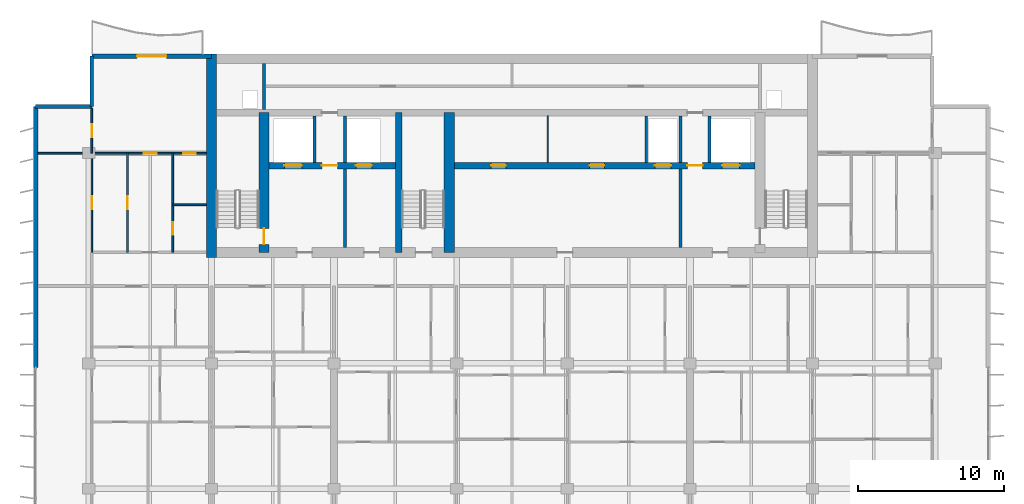
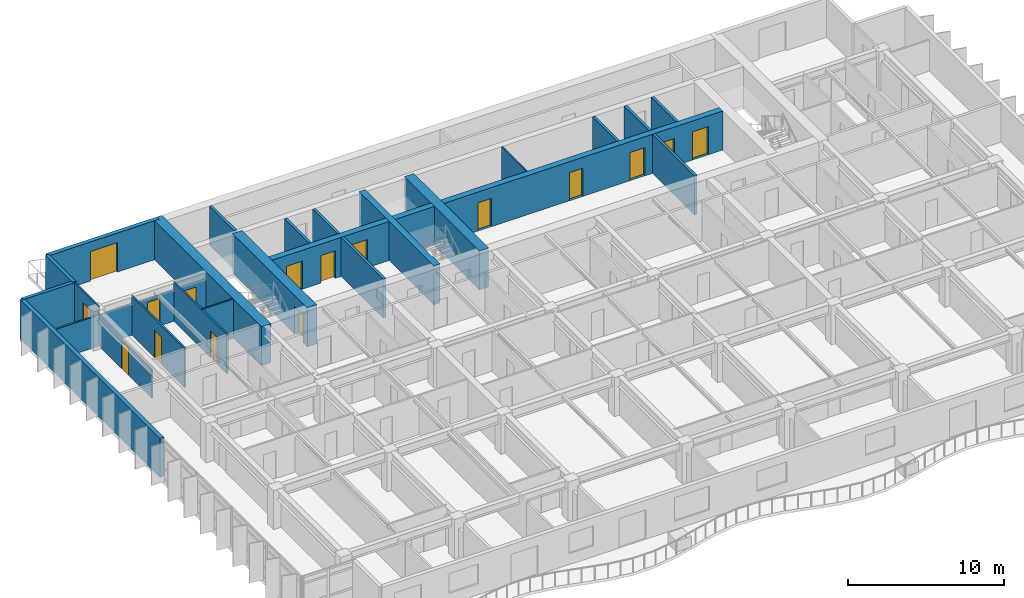
# One storey, part 10 of 16: 24 walls, 16 doors, 16 openings.
"""IFC4 building model written with IfcOpenShell, lengths in metres."""

from ifc_helpers import new_model, si_unit, direction, frame, frame_2d, origin, place, context, subcontext, project, spatial, rectangle, extrude, material, layer, layer_set, type_object, element, fill, save


model = new_model("IFC4")

# Units and contexts
model_context = context("Model", 3, precision=1e-05, world=origin(), true_north=direction((0.0, 1.0)))
body_context = subcontext(model_context, "Body", "Model", "MODEL_VIEW")
ifc_project = project(units=[si_unit("LENGTHUNIT", "METRE"), si_unit("AREAUNIT", "SQUARE_METRE"), si_unit("VOLUMEUNIT", "CUBIC_METRE"), si_unit("PLANEANGLEUNIT", "RADIAN"), si_unit("MASSUNIT", "GRAM", prefix="KILO")], contexts=[model_context])

# Site, building, storey
site_placement = place(None, origin())
site = spatial("IfcSite", under=ifc_project, at=site_placement, CompositionType="ELEMENT")
building_placement = place(site_placement, origin())
building = spatial("IfcBuilding", under=site, at=building_placement, Name="Caelmar Bay Residences", CompositionType="ELEMENT")
storey_placement = place(building_placement, frame((0.0, 0.0, 198.300048828125)))
storey = spatial("IfcBuildingStorey", under=building, at=storey_placement, Name="L55", CompositionType="ELEMENT", Elevation=198.300048828125)

# Wall
ifc_material_1 = material(Name="Concrete f'c 55 MPa (8,000 psi)", Category="concrete")
ifc_layer_1 = layer(ifc_material_1, 0.699951171875)
ifc_layer_set_1 = layer_set([ifc_layer_1], Name="Concrete f'c 55 MPa (8,000 psi)")
wall_type_1 = type_object("IfcWallType", Name="SW-COR-700", PredefinedType="SHEAR", material=ifc_layer_set_1)
wall_1_placement = place(storey_placement, frame((18.300048828125, 36.64990234375, 0.0), z_axis=(0.0, 0.0, 1.0), x_axis=(0.0, 1.0, 0.0)))
element("IfcWall", 1, at=wall_1_placement, inside=storey, type_object=wall_type_1, Name="L55 Rear Core West Shear Wall", PredefinedType="SHEAR", context=body_context, shape_type="SweptSolid", body=[
    extrude(rectangle(XDim=13.9501953125, YDim=0.699951171875, at=frame_2d((6.97509765625, 0.0))), origin(), (0.0, 0.0, 1.0), 3.050048828125),
])

# Wall, opening, door
wall_2_placement = place(storey_placement, frame((21.89990234375, 37.0, 0.0), z_axis=(0.0, 0.0, 1.0), x_axis=(0.0, 1.0, 0.0)))
wall_2 = element("IfcWall", 2, at=wall_2_placement, inside=storey, type_object=wall_type_1, Name="L55 Core Structural Web Wall ST1E", PredefinedType="SHEAR", context=body_context, shape_type="SweptSolid", body=[
    extrude(rectangle(XDim=9.574951171875, YDim=0.699951171875, at=frame_2d((4.78759765625, 0.0))), origin(), (0.0, 0.0, 1.0), 3.050048828125),
])
opening_1_placement = place(wall_2_placement, frame((0.550048828125, 0.0, 0.0)))
opening_1 = element("IfcOpeningElement", 3, at=opening_1_placement, cuts=wall_2, Name="Opening D-L55-107", PredefinedType="OPENING", context=body_context, shape_type="SweptSolid", body=[
    extrude(rectangle(XDim=1.10009765625, YDim=2.14990234375, at=frame_2d((0.550048828125, 1.074951171875))), frame((0.0, 0.35986328125, 0.0), z_axis=(0.0, -1.0, 0.0), x_axis=(1.0, 0.0, 0.0)), (0.0, 0.0, 1.0), 0.719970703125),
])
ifc_material_2 = material(Name="Fire-rated steel and walnut architectural door assembly", Category="steel")
ifc_layer_2 = layer(ifc_material_2, 0.050048828125)
ifc_layer_set_2 = layer_set([ifc_layer_2], Name="Fire-rated steel and walnut architectural door assembly")
door_type_1 = type_object("IfcDoorType", Name="D-STAIR-1100", OperationType="NOTDEFINED", PredefinedType="DOOR", material=ifc_layer_set_2)
door_1_placement = place(opening_1_placement, origin())
door_1 = element("IfcDoor", 4, at=door_1_placement, inside=storey, type_object=door_type_1, Name="L55 Firefighting Lobby West Door", OperationType="SINGLE_SWING_LEFT", OverallHeight=2.14990234375, OverallWidth=1.10009765625, PredefinedType="DOOR", context=body_context, shape_type="SweptSolid", body=[
    extrude(rectangle(XDim=1.10009765625, YDim=2.14990234375, at=frame_2d((0.550048828125, 1.074951171875))), frame((0.0, 0.02490234375, 0.0), z_axis=(0.0, -1.0, 0.0), x_axis=(1.0, 0.0, 0.0)), (0.0, 0.0, 1.0), 0.050048828125),
])
fill(opening_1, door_1)

# Walls
wall_3_placement = place(storey_placement, frame((34.60009765625, 37.0, 0.0), z_axis=(0.0, 0.0, 1.0), x_axis=(0.0, 1.0, 0.0)))
element("IfcWall", 5, at=wall_3_placement, inside=storey, type_object=wall_type_1, Name="L55 Core Structural Web Wall ST3E", PredefinedType="SHEAR", context=body_context, shape_type="SweptSolid", body=[
    extrude(rectangle(XDim=9.574951171875, YDim=0.699951171875, at=frame_2d((4.78759765625, 0.0))), origin(), (0.0, 0.0, 1.0), 3.050048828125),
])
ifc_material_3 = material(Name="Concrete f'c 70 MPa (10,000 psi)", Category="concrete")
ifc_layer_3 = layer(ifc_material_3, 0.449951171875)
ifc_layer_set_3 = layer_set([ifc_layer_3], Name="Concrete f'c 70 MPa (10,000 psi)")
wall_type_2 = type_object("IfcWallType", Name="SW-WEB-450", PredefinedType="SHEAR", material=ifc_layer_set_3)
wall_4_placement = place(storey_placement, frame((31.125, 37.0, 0.0), z_axis=(0.0, 0.0, 1.0), x_axis=(0.0, 1.0, 0.0)))
element("IfcWall", 6, at=wall_4_placement, inside=storey, type_object=wall_type_2, Name="L55 Core Structural Web Wall ST3W", PredefinedType="SHEAR", context=body_context, shape_type="SweptSolid", body=[
    extrude(rectangle(XDim=9.574951171875, YDim=0.449951171875, at=frame_2d((4.78759765625, 0.0))), origin(), (0.0, 0.0, 1.0), 3.050048828125),
])

# Wall, openings, doors
wall_5_placement = place(storey_placement, frame((22.25, 42.949951171875, 0.0), z_axis=(0.0, 0.0, 1.0), x_axis=(1.0, 0.0, 0.0)))
wall_5 = element("IfcWall", 7, at=wall_5_placement, inside=storey, type_object=wall_type_2, Name="L55 Core Structural Web Wall LFR", PredefinedType="SHEAR", context=body_context, shape_type="SweptSolid", body=[
    extrude(rectangle(XDim=33.300048828125, YDim=0.449951171875, at=frame_2d((16.64990234375, 0.0))), origin(), (0.0, 0.0, 1.0), 3.050048828125),
])
opening_2_placement = place(wall_5_placement, frame((1.050048828125, 0.0, 0.0)))
opening_2 = element("IfcOpeningElement", 8, at=opening_2_placement, cuts=wall_5, Name="Opening LD2", PredefinedType="OPENING", context=body_context, shape_type="SweptSolid", body=[
    extrude(rectangle(XDim=1.199951171875, YDim=2.199951171875, at=frame_2d((0.60009765625, 1.10009765625))), frame((0.0, 0.23486328125, 0.0), z_axis=(0.0, -1.0, 0.0), x_axis=(1.0, 0.0, 0.0)), (0.0, 0.0, 1.0), 0.469970703125),
])
opening_3_placement = place(wall_5_placement, frame((31.050048828125, 0.0, 0.0)))
opening_3 = element("IfcOpeningElement", 9, at=opening_3_placement, cuts=wall_5, Name="Opening LD2", PredefinedType="OPENING", context=body_context, shape_type="SweptSolid", body=[
    extrude(rectangle(XDim=1.199951171875, YDim=2.199951171875, at=frame_2d((0.60009765625, 1.10009765625))), frame((0.0, 0.23486328125, 0.0), z_axis=(0.0, -1.0, 0.0), x_axis=(1.0, 0.0, 0.0)), (0.0, 0.0, 1.0), 0.469970703125),
])
opening_4_placement = place(wall_5_placement, frame((26.449951171875, 0.0, 0.0)))
opening_4 = element("IfcOpeningElement", 10, at=opening_4_placement, cuts=wall_5, Name="Opening LD1", PredefinedType="OPENING", context=body_context, shape_type="SweptSolid", body=[
    extrude(rectangle(XDim=1.10009765625, YDim=2.199951171875, at=frame_2d((0.550048828125, 1.10009765625))), frame((0.0, 0.23486328125, 0.0), z_axis=(0.0, -1.0, 0.0), x_axis=(1.0, 0.0, 0.0)), (0.0, 0.0, 1.0), 0.469970703125),
])
opening_5_placement = place(wall_5_placement, frame((5.949951171875, 0.0, 0.0)))
opening_5 = element("IfcOpeningElement", 11, at=opening_5_placement, cuts=wall_5, Name="Opening LD1", PredefinedType="OPENING", context=body_context, shape_type="SweptSolid", body=[
    extrude(rectangle(XDim=1.10009765625, YDim=2.199951171875, at=frame_2d((0.550048828125, 1.10009765625))), frame((0.0, 0.23486328125, 0.0), z_axis=(0.0, -1.0, 0.0), x_axis=(1.0, 0.0, 0.0)), (0.0, 0.0, 1.0), 0.469970703125),
])
opening_6_placement = place(wall_5_placement, frame((3.625, 0.0, 0.0)))
opening_6 = element("IfcOpeningElement", 12, at=opening_6_placement, cuts=wall_5, Name="Opening D-L55-108", PredefinedType="OPENING", context=body_context, shape_type="SweptSolid", body=[
    extrude(rectangle(XDim=1.050048828125, YDim=2.14990234375, at=frame_2d((0.52490234375, 1.074951171875))), frame((0.0, 0.23486328125, 0.0), z_axis=(0.0, -1.0, 0.0), x_axis=(1.0, 0.0, 0.0)), (0.0, 0.0, 1.0), 0.469970703125),
])
opening_7_placement = place(wall_5_placement, frame((28.675048828125, 0.0, 0.0)))
opening_7 = element("IfcOpeningElement", 13, at=opening_7_placement, cuts=wall_5, Name="Opening D-L55-111", PredefinedType="OPENING", context=body_context, shape_type="SweptSolid", body=[
    extrude(rectangle(XDim=1.050048828125, YDim=2.14990234375, at=frame_2d((0.52490234375, 1.074951171875))), frame((0.0, 0.23486328125, 0.0), z_axis=(0.0, -1.0, 0.0), x_axis=(1.0, 0.0, 0.0)), (0.0, 0.0, 1.0), 0.469970703125),
])
opening_8_placement = place(wall_5_placement, frame((15.22509765625, 0.0, 0.0)))
opening_8 = element("IfcOpeningElement", 14, at=opening_8_placement, cuts=wall_5, Name="Opening D-L55-114", PredefinedType="OPENING", context=body_context, shape_type="SweptSolid", body=[
    extrude(rectangle(XDim=1.0, YDim=2.199951171875, at=frame_2d((0.5, 1.10009765625))), frame((0.0, 0.23486328125, 0.0), z_axis=(0.0, -1.0, 0.0), x_axis=(1.0, 0.0, 0.0)), (0.0, 0.0, 1.0), 0.469970703125),
])
opening_9_placement = place(wall_5_placement, frame((21.97509765625, 0.0, 0.0)))
opening_9 = element("IfcOpeningElement", 15, at=opening_9_placement, cuts=wall_5, Name="Opening D-L55-115", PredefinedType="OPENING", context=body_context, shape_type="SweptSolid", body=[
    extrude(rectangle(XDim=1.0, YDim=2.199951171875, at=frame_2d((0.5, 1.10009765625))), frame((0.0, 0.23486328125, 0.0), z_axis=(0.0, -1.0, 0.0), x_axis=(1.0, 0.0, 0.0)), (0.0, 0.0, 1.0), 0.469970703125),
])
ifc_layer_4 = layer(ifc_material_2, 0.050048828125)
ifc_layer_set_4 = layer_set([ifc_layer_4], Name="Fire-rated steel and walnut architectural door assembly")
door_type_2 = type_object("IfcDoorType", Name="D-FSAE-1050", OperationType="NOTDEFINED", PredefinedType="DOOR", material=ifc_layer_set_4)
door_2_placement = place(opening_6_placement, origin())
door_2 = element("IfcDoor", 16, at=door_2_placement, inside=storey, type_object=door_type_2, Name="L55 Firefighting Lobby West Door", OperationType="SINGLE_SWING_RIGHT", OverallHeight=2.14990234375, OverallWidth=1.050048828125, PredefinedType="DOOR", context=body_context, shape_type="SweptSolid", body=[
    extrude(rectangle(XDim=1.050048828125, YDim=2.14990234375, at=frame_2d((0.52490234375, 1.074951171875))), frame((0.0, 0.02490234375, 0.0), z_axis=(0.0, -1.0, 0.0), x_axis=(1.0, 0.0, 0.0)), (0.0, 0.0, 1.0), 0.050048828125),
])
fill(opening_6, door_2)
door_3_placement = place(opening_7_placement, origin())
door_3 = element("IfcDoor", 17, at=door_3_placement, inside=storey, type_object=door_type_2, Name="L55 Firefighting Lobby East Door", OperationType="SINGLE_SWING_LEFT", OverallHeight=2.14990234375, OverallWidth=1.050048828125, PredefinedType="DOOR", context=body_context, shape_type="SweptSolid", body=[
    extrude(rectangle(XDim=1.050048828125, YDim=2.14990234375, at=frame_2d((0.52490234375, 1.074951171875))), frame((0.0, 0.02490234375, 0.0), z_axis=(0.0, -1.0, 0.0), x_axis=(1.0, 0.0, 0.0)), (0.0, 0.0, 1.0), 0.050048828125),
])
fill(opening_7, door_3)
ifc_material_4 = material(Name="Brushed bronze stainless-steel fire-rated lift landing doors", Category="steel")
ifc_layer_5 = layer(ifc_material_4, 0.050048828125)
ifc_layer_set_5 = layer_set([ifc_layer_5], Name="Brushed bronze stainless-steel fire-rated lift landing doors")
door_type_3 = type_object("IfcDoorType", Name="D-LND-1100", OperationType="DOUBLE_DOOR_SLIDING", PredefinedType="DOOR", material=ifc_layer_set_5)
door_4_placement = place(opening_4_placement, origin())
door_4 = element("IfcDoor", 18, at=door_4_placement, inside=storey, type_object=door_type_3, Name="L55 LP6 Sliding Landing Door", OperationType="DOUBLE_DOOR_SLIDING", OverallHeight=2.199951171875, OverallWidth=1.10009765625, PredefinedType="DOOR", context=body_context, shape_type="SweptSolid", body=[
    extrude(rectangle(XDim=1.10009765625, YDim=2.199951171875, at=frame_2d((0.550048828125, 1.10009765625))), frame((0.0, 0.02490234375, 0.0), z_axis=(0.0, -1.0, 0.0), x_axis=(1.0, 0.0, 0.0)), (0.0, 0.0, 1.0), 0.050048828125),
])
fill(opening_4, door_4)
door_5_placement = place(opening_5_placement, origin())
door_5 = element("IfcDoor", 19, at=door_5_placement, inside=storey, type_object=door_type_3, Name="L55 LP7 Sliding Landing Door", OperationType="DOUBLE_DOOR_SLIDING", OverallHeight=2.199951171875, OverallWidth=1.10009765625, PredefinedType="DOOR", context=body_context, shape_type="SweptSolid", body=[
    extrude(rectangle(XDim=1.10009765625, YDim=2.199951171875, at=frame_2d((0.550048828125, 1.10009765625))), frame((0.0, 0.02490234375, 0.0), z_axis=(0.0, -1.0, 0.0), x_axis=(1.0, 0.0, 0.0)), (0.0, 0.0, 1.0), 0.050048828125),
])
fill(opening_5, door_5)
ifc_material_5 = material(Name="Brushed stainless-steel FSAE sliding landing door", Category="steel")
ifc_layer_6 = layer(ifc_material_5, 0.050048828125)
ifc_layer_set_6 = layer_set([ifc_layer_6], Name="Brushed stainless-steel FSAE sliding landing door")
door_type_4 = type_object("IfcDoorType", Name="D-LND-1200", OperationType="DOUBLE_DOOR_SLIDING", PredefinedType="DOOR", material=ifc_layer_set_6)
door_6_placement = place(opening_2_placement, origin())
door_6 = element("IfcDoor", 20, at=door_6_placement, inside=storey, type_object=door_type_4, Name="L55 LF1 Sliding Landing Door", OperationType="DOUBLE_DOOR_SLIDING", OverallHeight=2.199951171875, OverallWidth=1.199951171875, PredefinedType="DOOR", context=body_context, shape_type="SweptSolid", body=[
    extrude(rectangle(XDim=1.199951171875, YDim=2.199951171875, at=frame_2d((0.60009765625, 1.10009765625))), frame((0.0, 0.02490234375, 0.0), z_axis=(0.0, -1.0, 0.0), x_axis=(1.0, 0.0, 0.0)), (0.0, 0.0, 1.0), 0.050048828125),
])
fill(opening_2, door_6)
door_7_placement = place(opening_3_placement, origin())
door_7 = element("IfcDoor", 21, at=door_7_placement, inside=storey, type_object=door_type_4, Name="L55 LF2 Sliding Landing Door", OperationType="DOUBLE_DOOR_SLIDING", OverallHeight=2.199951171875, OverallWidth=1.199951171875, PredefinedType="DOOR", context=body_context, shape_type="SweptSolid", body=[
    extrude(rectangle(XDim=1.199951171875, YDim=2.199951171875, at=frame_2d((0.60009765625, 1.10009765625))), frame((0.0, 0.02490234375, 0.0), z_axis=(0.0, -1.0, 0.0), x_axis=(1.0, 0.0, 0.0)), (0.0, 0.0, 1.0), 0.050048828125),
])
fill(opening_3, door_7)
ifc_layer_7 = layer(ifc_material_2, 0.050048828125)
ifc_layer_set_7 = layer_set([ifc_layer_7], Name="Fire-rated steel and walnut architectural door assembly")
door_type_5 = type_object("IfcDoorType", Name="D-UNIT-1000", OperationType="NOTDEFINED", PredefinedType="DOOR", material=ifc_layer_set_7)
door_8_placement = place(opening_8_placement, origin())
door_8 = element("IfcDoor", 22, at=door_8_placement, inside=storey, type_object=door_type_5, Name="L55 Collector Study Door", OperationType="SINGLE_SWING_RIGHT", OverallHeight=2.199951171875, OverallWidth=1.0, PredefinedType="DOOR", context=body_context, shape_type="SweptSolid", body=[
    extrude(rectangle(XDim=1.0, YDim=2.199951171875, at=frame_2d((0.5, 1.10009765625))), frame((0.0, 0.02490234375, 0.0), z_axis=(0.0, -1.0, 0.0), x_axis=(1.0, 0.0, 0.0)), (0.0, 0.0, 1.0), 0.050048828125),
])
fill(opening_8, door_8)
door_9_placement = place(opening_9_placement, origin())
door_9 = element("IfcDoor", 23, at=door_9_placement, inside=storey, type_object=door_type_5, Name="L55 Private Dining Room Door", OperationType="SINGLE_SWING_LEFT", OverallHeight=2.199951171875, OverallWidth=1.0, PredefinedType="DOOR", context=body_context, shape_type="SweptSolid", body=[
    extrude(rectangle(XDim=1.0, YDim=2.199951171875, at=frame_2d((0.5, 1.10009765625))), frame((0.0, 0.02490234375, 0.0), z_axis=(0.0, -1.0, 0.0), x_axis=(1.0, 0.0, 0.0)), (0.0, 0.0, 1.0), 0.050048828125),
])
fill(opening_9, door_9)

# Walls
ifc_material_6 = material(Name="Precast concrete f'c 40 MPa (6,000 psi)", Category="concrete")
ifc_layer_8 = layer(ifc_material_6, 0.25)
ifc_layer_set_8 = layer_set([ifc_layer_8], Name="Precast concrete f'c 40 MPa (6,000 psi)")
wall_type_3 = type_object("IfcWallType", Name="W-EXT-250", PredefinedType="ELEMENTEDWALL", material=ifc_layer_set_8)
wall_6_placement = place(storey_placement, frame((6.25, 47.0, 0.0), z_axis=(0.0, 0.0, 1.0), x_axis=(1.0, 0.0, 0.0)))
element("IfcWall", 24, at=wall_6_placement, inside=storey, type_object=wall_type_3, Name="L55 NNW-H Notch Wall", PredefinedType="ELEMENTEDWALL", context=body_context, shape_type="SweptSolid", body=[
    extrude(rectangle(XDim=3.85009765625, YDim=0.25, at=frame_2d((1.925048828125, 0.0))), origin(), (0.0, 0.0, 1.0), 3.050048828125),
])
wall_7_placement = place(storey_placement, frame((10.10009765625, 47.0, 0.0), z_axis=(0.0, 0.0, 1.0), x_axis=(0.0, 1.0, 0.0)))
element("IfcWall", 25, at=wall_7_placement, inside=storey, type_object=wall_type_3, Name="L55 NNW-V Notch Wall", PredefinedType="ELEMENTEDWALL", context=body_context, shape_type="SweptSolid", body=[
    extrude(rectangle(XDim=3.449951171875, YDim=0.25, at=frame_2d((1.72509765625, 0.0))), origin(), (0.0, 0.0, 1.0), 3.050048828125),
])
ifc_layer_9 = layer(ifc_material_6, 0.300048828125)
ifc_layer_set_9 = layer_set([ifc_layer_9], Name="Precast concrete f'c 40 MPa (6,000 psi)")
wall_type_4 = type_object("IfcWallType", Name="W-EXT-300", PredefinedType="STANDARD", material=ifc_layer_set_9)
wall_8_placement = place(storey_placement, frame((6.25, 29.10009765625, 0.0), z_axis=(0.0, 0.0, 1.0), x_axis=(0.0, 1.0, 0.0)))
element("IfcWall", 26, at=wall_8_placement, inside=storey, type_object=wall_type_4, Name="L55 West Rear Exterior Wall", PredefinedType="STANDARD", context=body_context, shape_type="SweptSolid", body=[
    extrude(rectangle(XDim=17.89990234375, YDim=0.300048828125, at=frame_2d((8.949951171875, 0.0))), origin(), (0.0, 0.0, 1.0), 3.050048828125),
])

# Wall, opening, door
wall_9_placement = place(storey_placement, frame((10.10009765625, 50.449951171875, 0.0), z_axis=(0.0, 0.0, 1.0), x_axis=(1.0, 0.0, 0.0)))
wall_9 = element("IfcWall", 27, at=wall_9_placement, inside=storey, type_object=wall_type_4, Name="L55 North-West Wing Exterior Wall", PredefinedType="STANDARD", context=body_context, shape_type="SweptSolid", body=[
    extrude(rectangle(XDim=8.199951171875, YDim=0.300048828125, at=frame_2d((4.10009765625, 0.0))), origin(), (0.0, 0.0, 1.0), 3.050048828125),
])
opening_10_placement = place(wall_9_placement, frame((3.10009765625, 0.0, 0.0)))
opening_10 = element("IfcOpeningElement", 28, at=opening_10_placement, cuts=wall_9, Name="Opening L55-BDNW", PredefinedType="OPENING", context=body_context, shape_type="SweptSolid", body=[
    extrude(rectangle(XDim=2.0, YDim=2.300048828125, at=frame_2d((1.0, 1.14990234375))), frame((0.0, 0.159912109375, 0.0), z_axis=(0.0, -1.0, 0.0), x_axis=(1.0, 0.0, 0.0)), (0.0, 0.0, 1.0), 0.320068359375),
])
ifc_material_7 = material(Name="Anodised bronze thermally broken sliding glass door", Category="glass")
ifc_layer_10 = layer(ifc_material_7, 0.050048828125)
ifc_layer_set_10 = layer_set([ifc_layer_10], Name="Anodised bronze thermally broken sliding glass door")
door_type_6 = type_object("IfcDoorType", Name="D-BAL-2000", OperationType="DOUBLE_DOOR_SLIDING", PredefinedType="DOOR", material=ifc_layer_set_10)
door_10_placement = place(opening_10_placement, origin())
door_10 = element("IfcDoor", 29, at=door_10_placement, inside=storey, type_object=door_type_6, Name="L55 North-West Balcony Door", OperationType="DOUBLE_DOOR_SLIDING", OverallHeight=2.300048828125, OverallWidth=2.0, PredefinedType="DOOR", context=body_context, shape_type="SweptSolid", body=[
    extrude(rectangle(XDim=2.0, YDim=2.300048828125, at=frame_2d((1.0, 1.14990234375))), frame((0.0, 0.02490234375, 0.0), z_axis=(0.0, -1.0, 0.0), x_axis=(1.0, 0.0, 0.0)), (0.0, 0.0, 1.0), 0.050048828125),
])
fill(opening_10, door_10)

# Walls
ifc_material_8 = material(Name="Fire-rated masonry and gypsum shaftliner assembly 200 mm", Category="masonry")
ifc_layer_11 = layer(ifc_material_8, 0.199951171875)
ifc_layer_set_11 = layer_set([ifc_layer_11], Name="Fire-rated masonry and gypsum shaftliner assembly 200 mm")
wall_type_5 = type_object("IfcWallType", Name="W-FSAE-200", PredefinedType="PARTITIONING", material=ifc_layer_set_11)
wall_10_placement = place(storey_placement, frame((21.89990234375, 46.794921875, 0.0), z_axis=(0.0, 0.0, 1.0), x_axis=(0.0, 1.0, 0.0)))
element("IfcWall", 30, at=wall_10_placement, inside=storey, type_object=wall_type_5, Name="L55 Partition Wall V013", PredefinedType="PARTITIONING", context=body_context, shape_type="SweptSolid", body=[
    extrude(rectangle(XDim=3.16015625, YDim=0.199951171875, at=frame_2d((1.580078125, 0.0))), origin(), (0.0, 0.0, 1.0), 3.050048828125),
])
wall_11_placement = place(storey_placement, frame((25.35009765625, 43.169921875, 0.0), z_axis=(0.0, 0.0, 1.0), x_axis=(0.0, 1.0, 0.0)))
element("IfcWall", 31, at=wall_11_placement, inside=storey, type_object=wall_type_5, Name="L55 Partition Wall V018", PredefinedType="PARTITIONING", context=body_context, shape_type="SweptSolid", body=[
    extrude(rectangle(XDim=3.18505859375, YDim=0.199951171875, at=frame_2d((1.592529296875, 0.0))), origin(), (0.0, 0.0, 1.0), 3.050048828125),
])
wall_12_placement = place(storey_placement, frame((27.449951171875, 37.344970703125, 0.0), z_axis=(0.0, 0.0, 1.0), x_axis=(0.0, 1.0, 0.0)))
element("IfcWall", 32, at=wall_12_placement, inside=storey, type_object=wall_type_5, Name="L55 Partition Wall V022", PredefinedType="PARTITIONING", context=body_context, shape_type="SweptSolid", body=[
    extrude(rectangle(XDim=5.385009765625, YDim=0.199951171875, at=frame_2d((2.6923828125, 0.0))), origin(), (0.0, 0.0, 1.0), 3.050048828125),
])
for number, where, z_axis, x_axis, name in (
    (33, (27.449951171875, 43.169921875, 0.0), (0.0, 0.0, 1.0), (0.0, 1.0, 0.0), "L55 Partition Wall V023"),
    (34, (48.10009765625, 43.169921875, 0.0), (0.0, 0.0, 1.0), (0.0, 1.0, 0.0), "L55 Partition Wall V033"),
):
    element("IfcWall", number, at=place(storey_placement, frame(where, z_axis=z_axis, x_axis=x_axis)), inside=storey, type_object=wall_type_5, Name=name, PredefinedType="PARTITIONING", context=body_context, shape_type="SweptSolid", body=[
        extrude(rectangle(XDim=3.18505859375, YDim=0.199951171875, at=frame_2d((1.592529296875, 0.0))), origin(), (0.0, 0.0, 1.0), 3.050048828125),
    ])
wall_13_placement = place(storey_placement, frame((50.449951171875, 37.344970703125, 0.0), z_axis=(0.0, 0.0, 1.0), x_axis=(0.0, 1.0, 0.0)))
element("IfcWall", 35, at=wall_13_placement, inside=storey, type_object=wall_type_5, Name="L55 Partition Wall V035", PredefinedType="PARTITIONING", context=body_context, shape_type="SweptSolid", body=[
    extrude(rectangle(XDim=5.385009765625, YDim=0.199951171875, at=frame_2d((2.6923828125, 0.0))), origin(), (0.0, 0.0, 1.0), 3.050048828125),
])
for number, where, z_axis, x_axis, name in (
    (36, (50.449951171875, 43.169921875, 0.0), (0.0, 0.0, 1.0), (0.0, 1.0, 0.0), "L55 Partition Wall V036"),
    (37, (52.449951171875, 43.169921875, 0.0), (0.0, 0.0, 1.0), (0.0, 1.0, 0.0), "L55 Partition Wall V040"),
):
    element("IfcWall", number, at=place(storey_placement, frame(where, z_axis=z_axis, x_axis=x_axis)), inside=storey, type_object=wall_type_5, Name=name, PredefinedType="PARTITIONING", context=body_context, shape_type="SweptSolid", body=[
        extrude(rectangle(XDim=3.18505859375, YDim=0.199951171875, at=frame_2d((1.592529296875, 0.0))), origin(), (0.0, 0.0, 1.0), 3.050048828125),
    ])

# Wall, opening, door
ifc_material_9 = material(Name="Anodised bronze framed acoustic sliding study partition 100 mm")
ifc_layer_12 = layer(ifc_material_9, 0.10009765625)
ifc_layer_set_12 = layer_set([ifc_layer_12], Name="Anodised bronze framed acoustic sliding study partition 100 mm")
wall_type_6 = type_object("IfcWallType", Name="W-MOV-100", PredefinedType="MOVABLE", material=ifc_layer_set_12)
wall_14_placement = place(storey_placement, frame((10.10009765625, 37.0048828125, 0.0), z_axis=(0.0, 0.0, 1.0), x_axis=(0.0, 1.0, 0.0)))
wall_14 = element("IfcWall", 38, at=wall_14_placement, inside=storey, type_object=wall_type_6, Name="L55 Partition Wall V003", PredefinedType="MOVABLE", context=body_context, shape_type="SweptSolid", body=[
    extrude(rectangle(XDim=6.795166015625, YDim=0.10009765625, at=frame_2d((3.3974609375, 0.0))), origin(), (0.0, 0.0, 1.0), 2.262939453125),
])
opening_11_placement = place(wall_14_placement, frame((2.947509765625, 0.0, 0.0)))
opening_11 = element("IfcOpeningElement", 39, at=opening_11_placement, cuts=wall_14, Name="Opening D-L55-166", PredefinedType="OPENING", context=body_context, shape_type="SweptSolid", body=[
    extrude(rectangle(XDim=0.89990234375, YDim=2.14990234375, at=frame_2d((0.449951171875, 1.074951171875))), frame((0.0, 0.06005859375, 0.0), z_axis=(0.0, -1.0, 0.0), x_axis=(1.0, 0.0, 0.0)), (0.0, 0.0, 1.0), 0.1201171875),
])
ifc_material_10 = material(Name="Solid walnut timber interior door leaf and frame", Category="wood")
ifc_layer_13 = layer(ifc_material_10, 0.050048828125)
ifc_layer_set_13 = layer_set([ifc_layer_13], Name="Solid walnut timber interior door leaf and frame")
door_type_7 = type_object("IfcDoorType", Name="D-ROOM-900", OperationType="NOTDEFINED", PredefinedType="DOOR", material=ifc_layer_set_13)
door_11_placement = place(opening_11_placement, origin())
door_11 = element("IfcDoor", 40, at=door_11_placement, inside=storey, type_object=door_type_7, Name="L55 Residence WA Sun Study Door", OperationType="SINGLE_SWING_RIGHT", OverallHeight=2.14990234375, OverallWidth=0.89990234375, PredefinedType="DOOR", context=body_context, shape_type="SweptSolid", body=[
    extrude(rectangle(XDim=0.89990234375, YDim=2.14990234375, at=frame_2d((0.449951171875, 1.074951171875))), frame((0.0, 0.02490234375, 0.0), z_axis=(0.0, -1.0, 0.0), x_axis=(1.0, 0.0, 0.0)), (0.0, 0.0, 1.0), 0.050048828125),
])
fill(opening_11, door_11)

# Wall
wall_15_placement = place(storey_placement, frame((41.35009765625, 43.169921875, 0.0), z_axis=(0.0, 0.0, 1.0), x_axis=(0.0, 1.0, 0.0)))
element("IfcWall", 41, at=wall_15_placement, inside=storey, type_object=wall_type_6, Name="L55 Partition Wall V030", PredefinedType="MOVABLE", context=body_context, shape_type="SweptSolid", body=[
    extrude(rectangle(XDim=3.18505859375, YDim=0.10009765625, at=frame_2d((1.592529296875, 0.0))), origin(), (0.0, 0.0, 1.0), 3.050048828125),
])

# Wall, opening, door
ifc_material_11 = material(Name="Acoustic metal-stud gypsum partition 120 mm")
ifc_layer_14 = layer(ifc_material_11, 0.1201171875)
ifc_layer_set_14 = layer_set([ifc_layer_14], Name="Acoustic metal-stud gypsum partition 120 mm")
wall_type_7 = type_object("IfcWallType", Name="W-PRT-120", PredefinedType="PARTITIONING", material=ifc_layer_set_14)
wall_16_placement = place(storey_placement, frame((10.10009765625, 43.804931640625, 0.0), z_axis=(0.0, 0.0, 1.0), x_axis=(0.0, 1.0, 0.0)))
wall_16 = element("IfcWall", 42, at=wall_16_placement, inside=storey, type_object=wall_type_7, Name="L55 Partition Wall V004", PredefinedType="PARTITIONING", context=body_context, shape_type="SweptSolid", body=[
    extrude(rectangle(XDim=3.074951171875, YDim=0.1201171875, at=frame_2d((1.53759765625, 0.0))), origin(), (0.0, 0.0, 1.0), 3.050048828125),
])
opening_12_placement = place(wall_16_placement, frame((1.08740234375, 0.0, 0.0)))
opening_12 = element("IfcOpeningElement", 43, at=opening_12_placement, cuts=wall_16, Name="Opening D-L55-167", PredefinedType="OPENING", context=body_context, shape_type="SweptSolid", body=[
    extrude(rectangle(XDim=0.89990234375, YDim=2.14990234375, at=frame_2d((0.449951171875, 1.074951171875))), frame((0.0, 0.070068359375, 0.0), z_axis=(0.0, -1.0, 0.0), x_axis=(1.0, 0.0, 0.0)), (0.0, 0.0, 1.0), 0.14013671875),
])
door_12_placement = place(opening_12_placement, origin())
door_12 = element("IfcDoor", 44, at=door_12_placement, inside=storey, type_object=door_type_7, Name="L55 Residence WA North Sitting Alcove Door", OperationType="SINGLE_SWING_LEFT", OverallHeight=2.14990234375, OverallWidth=0.89990234375, PredefinedType="DOOR", context=body_context, shape_type="SweptSolid", body=[
    extrude(rectangle(XDim=0.89990234375, YDim=2.14990234375, at=frame_2d((0.449951171875, 1.074951171875))), frame((0.0, 0.02490234375, 0.0), z_axis=(0.0, -1.0, 0.0), x_axis=(1.0, 0.0, 0.0)), (0.0, 0.0, 1.0), 0.050048828125),
])
fill(opening_12, door_12)

wall_17_placement = place(storey_placement, frame((12.5419921875, 37.0, 0.0), z_axis=(0.0, 0.0, 1.0), x_axis=(0.0, 1.0, 0.0)))
wall_17 = element("IfcWall", 45, at=wall_17_placement, inside=storey, type_object=wall_type_7, Name="L55 Partition Wall V005", PredefinedType="PARTITIONING", context=body_context, shape_type="SweptSolid", body=[
    extrude(rectangle(XDim=6.800048828125, YDim=0.1201171875, at=frame_2d((3.39990234375, 0.0))), origin(), (0.0, 0.0, 1.0), 3.050048828125),
])
opening_13_placement = place(wall_17_placement, frame((2.949951171875, 0.0, 0.0)))
opening_13 = element("IfcOpeningElement", 46, at=opening_13_placement, cuts=wall_17, Name="Opening D-L55-161", PredefinedType="OPENING", context=body_context, shape_type="SweptSolid", body=[
    extrude(rectangle(XDim=0.89990234375, YDim=2.14990234375, at=frame_2d((0.449951171875, 1.074951171875))), frame((0.0, 0.070068359375, 0.0), z_axis=(0.0, -1.0, 0.0), x_axis=(1.0, 0.0, 0.0)), (0.0, 0.0, 1.0), 0.14013671875),
])
door_13_placement = place(opening_13_placement, origin())
door_13 = element("IfcDoor", 47, at=door_13_placement, inside=storey, type_object=door_type_7, Name="L55 Residence WA Dining Room Door", OperationType="SINGLE_SWING_LEFT", OverallHeight=2.14990234375, OverallWidth=0.89990234375, PredefinedType="DOOR", context=body_context, shape_type="SweptSolid", body=[
    extrude(rectangle(XDim=0.89990234375, YDim=2.14990234375, at=frame_2d((0.449951171875, 1.074951171875))), frame((0.0, 0.02490234375, 0.0), z_axis=(0.0, -1.0, 0.0), x_axis=(1.0, 0.0, 0.0)), (0.0, 0.0, 1.0), 0.050048828125),
])
fill(opening_13, door_13)

wall_18_placement = place(storey_placement, frame((15.64990234375, 37.0, 0.0), z_axis=(0.0, 0.0, 1.0), x_axis=(0.0, 1.0, 0.0)))
wall_18 = element("IfcWall", 48, at=wall_18_placement, inside=storey, type_object=wall_type_7, Name="L55 Partition Wall V009", PredefinedType="PARTITIONING", context=body_context, shape_type="SweptSolid", body=[
    extrude(rectangle(XDim=6.800048828125, YDim=0.1201171875, at=frame_2d((3.39990234375, 0.0))), origin(), (0.0, 0.0, 1.0), 3.050048828125),
])
opening_14_placement = place(wall_18_placement, frame((1.20703125, 0.0, 0.0)))
opening_14 = element("IfcOpeningElement", 49, at=opening_14_placement, cuts=wall_18, Name="Opening D-L55-164", PredefinedType="OPENING", context=body_context, shape_type="SweptSolid", body=[
    extrude(rectangle(XDim=0.85009765625, YDim=2.10009765625, at=frame_2d((0.425048828125, 1.050048828125))), frame((0.0, 0.070068359375, 0.0), z_axis=(0.0, -1.0, 0.0), x_axis=(1.0, 0.0, 0.0)), (0.0, 0.0, 1.0), 0.14013671875),
])
ifc_layer_15 = layer(ifc_material_10, 0.050048828125)
ifc_layer_set_15 = layer_set([ifc_layer_15], Name="Solid walnut timber interior door leaf and frame")
door_type_8 = type_object("IfcDoorType", Name="D-BATH-850", OperationType="NOTDEFINED", PredefinedType="DOOR", material=ifc_layer_set_15)
door_14_placement = place(opening_14_placement, origin())
door_14 = element("IfcDoor", 50, at=door_14_placement, inside=storey, type_object=door_type_8, Name="L55 Residence WA Walk-In Closet Door", OperationType="SINGLE_SWING_RIGHT", OverallHeight=2.10009765625, OverallWidth=0.85009765625, PredefinedType="DOOR", context=body_context, shape_type="SweptSolid", body=[
    extrude(rectangle(XDim=0.85009765625, YDim=2.10009765625, at=frame_2d((0.425048828125, 1.050048828125))), frame((0.0, 0.02490234375, 0.0), z_axis=(0.0, -1.0, 0.0), x_axis=(1.0, 0.0, 0.0)), (0.0, 0.0, 1.0), 0.050048828125),
])
fill(opening_14, door_14)

# Wall
wall_19_placement = place(storey_placement, frame((15.64990234375, 40.263916015625, 0.0), z_axis=(0.0, 0.0, 1.0), x_axis=(1.0, 0.0, 0.0)))
element("IfcWall", 51, at=wall_19_placement, inside=storey, type_object=wall_type_7, Name="L55 Partition Wall H076", PredefinedType="PARTITIONING", context=body_context, shape_type="SweptSolid", body=[
    extrude(rectangle(XDim=2.30517578125, YDim=0.1201171875, at=frame_2d((1.152587890625, 0.0))), origin(), (0.0, 0.0, 1.0), 3.050048828125),
])

# Wall, openings, doors
wall_20_placement = place(storey_placement, frame((6.39501953125, 43.800048828125, 0.0), z_axis=(0.0, 0.0, 1.0), x_axis=(1.0, 0.0, 0.0)))
wall_20 = element("IfcWall", 52, at=wall_20_placement, inside=storey, type_object=wall_type_7, Name="L55 Partition Wall H078", PredefinedType="PARTITIONING", context=body_context, shape_type="SweptSolid", body=[
    extrude(rectangle(XDim=11.56005859375, YDim=0.1201171875, at=frame_2d((5.780029296875, 0.0))), origin(), (0.0, 0.0, 1.0), 2.41796875),
])
opening_15_placement = place(wall_20_placement, frame((7.2509765625, 0.0, 0.0)))
opening_15 = element("IfcOpeningElement", 53, at=opening_15_placement, cuts=wall_20, Name="Opening D-L55-163", PredefinedType="OPENING", context=body_context, shape_type="SweptSolid", body=[
    extrude(rectangle(XDim=0.89990234375, YDim=2.14990234375, at=frame_2d((0.449951171875, 1.074951171875))), frame((0.0, 0.070068359375, 0.0), z_axis=(0.0, -1.0, 0.0), x_axis=(1.0, 0.0, 0.0)), (0.0, 0.0, 1.0), 0.14013671875),
])
opening_16_placement = place(wall_20_placement, frame((9.982421875, 0.0, 0.0)))
opening_16 = element("IfcOpeningElement", 54, at=opening_16_placement, cuts=wall_20, Name="Opening D-L55-165", PredefinedType="OPENING", context=body_context, shape_type="SweptSolid", body=[
    extrude(rectangle(XDim=0.85009765625, YDim=2.10009765625, at=frame_2d((0.425048828125, 1.050048828125))), frame((0.0, 0.070068359375, 0.0), z_axis=(0.0, -1.0, 0.0), x_axis=(1.0, 0.0, 0.0)), (0.0, 0.0, 1.0), 0.14013671875),
])
door_15_placement = place(opening_16_placement, origin())
door_15 = element("IfcDoor", 55, at=door_15_placement, inside=storey, type_object=door_type_8, Name="L55 Residence WA Bathroom Door", OperationType="SINGLE_SWING_LEFT", OverallHeight=2.10009765625, OverallWidth=0.85009765625, PredefinedType="DOOR", context=body_context, shape_type="SweptSolid", body=[
    extrude(rectangle(XDim=0.85009765625, YDim=2.10009765625, at=frame_2d((0.425048828125, 1.050048828125))), frame((0.0, 0.02490234375, 0.0), z_axis=(0.0, -1.0, 0.0), x_axis=(1.0, 0.0, 0.0)), (0.0, 0.0, 1.0), 0.050048828125),
])
fill(opening_16, door_15)
door_16_placement = place(opening_15_placement, origin())
door_16 = element("IfcDoor", 56, at=door_16_placement, inside=storey, type_object=door_type_7, Name="L55 Residence WA Studio Living and Sleeping Room Door", OperationType="SINGLE_SWING_LEFT", OverallHeight=2.14990234375, OverallWidth=0.89990234375, PredefinedType="DOOR", context=body_context, shape_type="SweptSolid", body=[
    extrude(rectangle(XDim=0.89990234375, YDim=2.14990234375, at=frame_2d((0.449951171875, 1.074951171875))), frame((0.0, 0.02490234375, 0.0), z_axis=(0.0, -1.0, 0.0), x_axis=(1.0, 0.0, 0.0)), (0.0, 0.0, 1.0), 0.050048828125),
])
fill(opening_15, door_16)

save(model, "model.ifc")
